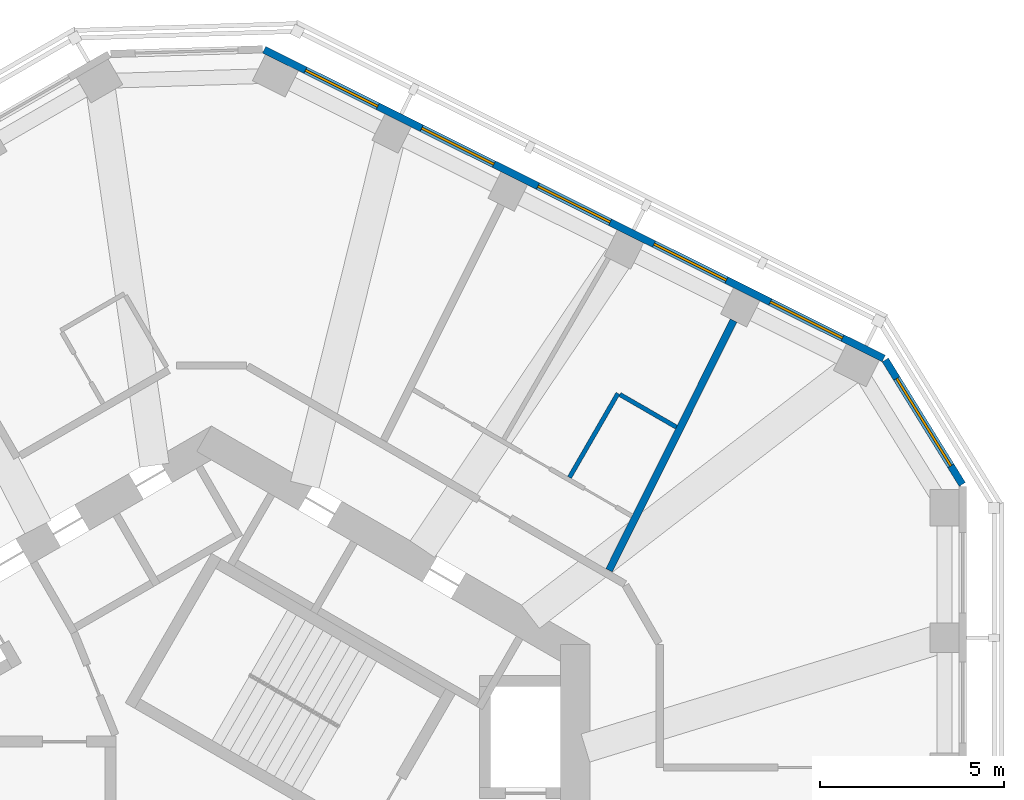
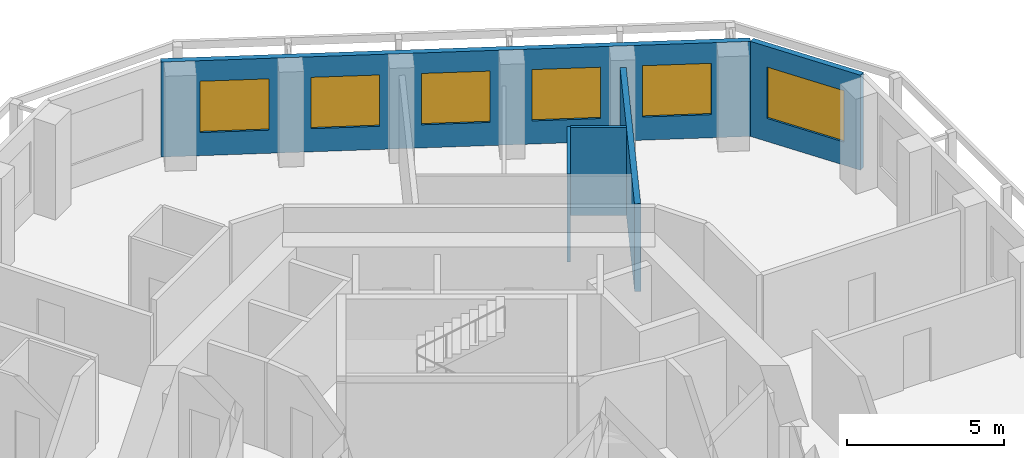
# One storey, part 8 of 11: 6 windows, 5 walls, 6 openings.
"""IFC4 building model written with IfcOpenShell, lengths in metres."""

from ifc_helpers import new_model, si_unit, direction, frame, frame_2d, origin, place, context, subcontext, project, spatial, rectangle, extrude, material, layer, layer_set, type_object, element, fill, save


model = new_model("IFC4")

# Units and contexts
model_context = context("Model", 3, precision=1e-05, world=origin(), true_north=direction((0.0, 1.0)))
body_context = subcontext(model_context, "Body", "Model", "MODEL_VIEW")
ifc_project = project(units=[si_unit("LENGTHUNIT", "METRE"), si_unit("AREAUNIT", "SQUARE_METRE"), si_unit("VOLUMEUNIT", "CUBIC_METRE"), si_unit("PLANEANGLEUNIT", "RADIAN"), si_unit("MASSUNIT", "GRAM", prefix="KILO")], contexts=[model_context])

# Site, building, storey
site_placement = place(None, origin())
site = spatial("IfcSite", under=ifc_project, at=site_placement, CompositionType="ELEMENT")
building_placement = place(site_placement, origin())
building = spatial("IfcBuilding", under=site, at=building_placement, Name="Vanh Sen Convention Tower", CompositionType="ELEMENT")
storey_placement = place(building_placement, frame((0.0, 0.0, 247.60009765625)))
storey = spatial("IfcBuildingStorey", under=building, at=storey_placement, Name="L61", CompositionType="ELEMENT", Elevation=247.60009765625)

# Walls
ifc_material_1 = material(Name="Moisture-resistant gypsum board on steel studs", Category="steel")
ifc_layer_1 = layer(ifc_material_1, 0.1201171875)
ifc_layer_set_1 = layer_set([ifc_layer_1], Name="Moisture-resistant gypsum board on steel studs")
wall_type_1 = type_object("IfcWallType", Name="Bathroom partition 120", PredefinedType="PARTITIONING", material=ifc_layer_set_1)
wall_1_placement = place(storey_placement, frame((11.065185546875, 12.779541015625, 0.0), z_axis=(0.0, 0.0, 1.0), x_axis=(-0.499938597367, -0.866060851709, 0.0)))
element("IfcWall", 1, at=wall_1_placement, inside=storey, type_object=wall_type_1, Name="Bathroom partition 120", PredefinedType="PARTITIONING", context=body_context, shape_type="SweptSolid", body=[
    extrude(rectangle(XDim=2.639892578125, YDim=0.1201171875, at=frame_2d((1.31982421875, 0.0))), origin(), (0.0, 0.0, 1.0), 3.419921875),
])
wall_2_placement = place(storey_placement, frame((12.654296875, 11.862060546875, 0.0), z_axis=(0.0, 0.0, 1.0), x_axis=(-0.866025242659, 0.500000279077, 0.0)))
element("IfcWall", 2, at=wall_2_placement, inside=storey, type_object=wall_type_1, Name="Bathroom partition 120", PredefinedType="PARTITIONING", context=body_context, shape_type="SweptSolid", body=[
    extrude(rectangle(XDim=1.77490234375, YDim=0.1201171875, at=frame_2d((0.887451171875, 0.0))), origin(), (0.0, 0.0, 1.0), 3.419921875),
])

# Wall, opening, window
ifc_material_2 = material(Name="Insulated lightweight infill wall")
ifc_layer_2 = layer(ifc_material_2, 0.199951171875)
ifc_layer_set_2 = layer_set([ifc_layer_2], Name="Insulated lightweight infill wall")
wall_type_2 = type_object("IfcWallType", Name="External wall 200", PredefinedType="STANDARD", material=ifc_layer_set_2)
wall_3_placement = place(storey_placement, frame((20.43505859375, 10.3037109375, 0.0), z_axis=(0.0, 0.0, 1.0), x_axis=(-0.526202661606, 0.850359194058, 0.0)))
wall_3 = element("IfcWall", 3, at=wall_3_placement, inside=storey, type_object=wall_type_2, Name="External wall CH1 L61", PredefinedType="STANDARD", context=body_context, shape_type="SweptSolid", body=[
    extrude(rectangle(XDim=3.982666015625, YDim=0.199951171875, at=frame_2d((1.9912109375, 0.0))), origin(), (0.0, 0.0, 1.0), 3.699951171875),
])
opening_1_placement = place(wall_3_placement, frame((0.59130859375, 0.0, 0.89990234375)))
opening_1 = element("IfcOpeningElement", 4, at=opening_1_placement, cuts=wall_3, Name="Opening WO4-CH11", PredefinedType="OPENING", context=body_context, shape_type="SweptSolid", body=[
    extrude(rectangle(XDim=2.800048828125, YDim=2.0, at=frame_2d((1.39990234375, 1.0))), frame((0.0, 0.10986328125, 0.0), z_axis=(0.0, -1.0, 0.0), x_axis=(1.0, 0.0, 0.0)), (0.0, 0.0, 1.0), 0.219970703125),
])
ifc_material_3 = material(Name="Aluminium frame with clear low-emissivity glass", Category="aluminium")
window_type_1 = type_object("IfcWindowType", Name="Office window 2800 x 2000", PartitioningType="SINGLE_PANEL", PredefinedType="WINDOW", material=ifc_material_3)
window_1_placement = place(opening_1_placement, origin())
window_1 = element("IfcWindow", 5, at=window_1_placement, inside=storey, type_object=window_type_1, Name="Window WO4-CH11", OverallHeight=2.0, OverallWidth=2.800048828125, PartitioningType="SINGLE_PANEL", PredefinedType="WINDOW", context=body_context, shape_type="SweptSolid", body=[
    extrude(rectangle(XDim=2.800048828125, YDim=2.0, at=frame_2d((1.39990234375, 1.0))), frame((0.0, 0.030029296875, 0.0), z_axis=(0.0, -1.0, 0.0), x_axis=(1.0, 0.0, 0.0)), (0.0, 0.0, 1.0), 0.06005859375),
])
fill(opening_1, window_1)

# Wall, openings, windows
wall_4_placement = place(storey_placement, frame((18.298828125, 13.727294921875, 0.0), z_axis=(0.0, 0.0, 1.0), x_axis=(-0.894934554817, 0.44619742558, 0.0)))
wall_4 = element("IfcWall", 6, at=wall_4_placement, inside=storey, type_object=wall_type_2, Name="External wall NE L61", PredefinedType="STANDARD", context=body_context, shape_type="SweptSolid", body=[
    extrude(rectangle(XDim=18.84130859375, YDim=0.199951171875, at=frame_2d((9.420654296875, 0.0))), origin(), (0.0, 0.0, 1.0), 3.699951171875),
])
opening_2_placement = place(wall_4_placement, frame((1.252685546875, 0.0, 0.89990234375)))
opening_2 = element("IfcOpeningElement", 7, at=opening_2_placement, cuts=wall_4, Name="Opening WO3-NE1", PredefinedType="OPENING", context=body_context, shape_type="SweptSolid", body=[
    extrude(rectangle(XDim=2.199951171875, YDim=2.0, at=frame_2d((1.10009765625, 1.0))), frame((0.0, 0.10986328125, 0.0), z_axis=(0.0, -1.0, 0.0), x_axis=(1.0, 0.0, 0.0)), (0.0, 0.0, 1.0), 0.219970703125),
])
opening_3_placement = place(wall_4_placement, frame((4.7861328125, 0.0, 0.89990234375)))
opening_3 = element("IfcOpeningElement", 8, at=opening_3_placement, cuts=wall_4, Name="Opening WO3-NE2", PredefinedType="OPENING", context=body_context, shape_type="SweptSolid", body=[
    extrude(rectangle(XDim=2.199951171875, YDim=2.0, at=frame_2d((1.10009765625, 1.0))), frame((0.0, 0.10986328125, 0.0), z_axis=(0.0, -1.0, 0.0), x_axis=(1.0, 0.0, 0.0)), (0.0, 0.0, 1.0), 0.219970703125),
])
opening_4_placement = place(wall_4_placement, frame((8.31982421875, 0.0, 0.89990234375)))
opening_4 = element("IfcOpeningElement", 9, at=opening_4_placement, cuts=wall_4, Name="Opening WO3-NE3", PredefinedType="OPENING", context=body_context, shape_type="SweptSolid", body=[
    extrude(rectangle(XDim=2.199951171875, YDim=2.0, at=frame_2d((1.10009765625, 1.0))), frame((0.0, 0.10986328125, 0.0), z_axis=(0.0, -1.0, 0.0), x_axis=(1.0, 0.0, 0.0)), (0.0, 0.0, 1.0), 0.219970703125),
])
opening_5_placement = place(wall_4_placement, frame((11.853515625, 0.0, 0.89990234375)))
opening_5 = element("IfcOpeningElement", 10, at=opening_5_placement, cuts=wall_4, Name="Opening WO3-NE4", PredefinedType="OPENING", context=body_context, shape_type="SweptSolid", body=[
    extrude(rectangle(XDim=2.199951171875, YDim=2.0, at=frame_2d((1.10009765625, 1.0))), frame((0.0, 0.10986328125, 0.0), z_axis=(0.0, -1.0, 0.0), x_axis=(1.0, 0.0, 0.0)), (0.0, 0.0, 1.0), 0.219970703125),
])
opening_6_placement = place(wall_4_placement, frame((15.38720703125, 0.0, 0.89990234375)))
opening_6 = element("IfcOpeningElement", 11, at=opening_6_placement, cuts=wall_4, Name="Opening WO3-NE5", PredefinedType="OPENING", context=body_context, shape_type="SweptSolid", body=[
    extrude(rectangle(XDim=2.199951171875, YDim=2.0, at=frame_2d((1.10009765625, 1.0))), frame((0.0, 0.10986328125, 0.0), z_axis=(0.0, -1.0, 0.0), x_axis=(1.0, 0.0, 0.0)), (0.0, 0.0, 1.0), 0.219970703125),
])
window_type_2 = type_object("IfcWindowType", Name="Office window 2200 x 2000", PartitioningType="SINGLE_PANEL", PredefinedType="WINDOW", material=ifc_material_3)
window_2_placement = place(opening_2_placement, origin())
window_2 = element("IfcWindow", 12, at=window_2_placement, inside=storey, type_object=window_type_2, Name="Window WO3-NE1", OverallHeight=2.0, OverallWidth=2.199951171875, PartitioningType="SINGLE_PANEL", PredefinedType="WINDOW", context=body_context, shape_type="SweptSolid", body=[
    extrude(rectangle(XDim=2.199951171875, YDim=2.0, at=frame_2d((1.10009765625, 1.0))), frame((0.0, 0.030029296875, 0.0), z_axis=(0.0, -1.0, 0.0), x_axis=(1.0, 0.0, 0.0)), (0.0, 0.0, 1.0), 0.06005859375),
])
fill(opening_2, window_2)
window_3_placement = place(opening_3_placement, origin())
window_3 = element("IfcWindow", 13, at=window_3_placement, inside=storey, type_object=window_type_2, Name="Window WO3-NE2", OverallHeight=2.0, OverallWidth=2.199951171875, PartitioningType="SINGLE_PANEL", PredefinedType="WINDOW", context=body_context, shape_type="SweptSolid", body=[
    extrude(rectangle(XDim=2.199951171875, YDim=2.0, at=frame_2d((1.10009765625, 1.0))), frame((0.0, 0.030029296875, 0.0), z_axis=(0.0, -1.0, 0.0), x_axis=(1.0, 0.0, 0.0)), (0.0, 0.0, 1.0), 0.06005859375),
])
fill(opening_3, window_3)
window_4_placement = place(opening_4_placement, origin())
window_4 = element("IfcWindow", 14, at=window_4_placement, inside=storey, type_object=window_type_2, Name="Window WO3-NE3", OverallHeight=2.0, OverallWidth=2.199951171875, PartitioningType="SINGLE_PANEL", PredefinedType="WINDOW", context=body_context, shape_type="SweptSolid", body=[
    extrude(rectangle(XDim=2.199951171875, YDim=2.0, at=frame_2d((1.10009765625, 1.0))), frame((0.0, 0.030029296875, 0.0), z_axis=(0.0, -1.0, 0.0), x_axis=(1.0, 0.0, 0.0)), (0.0, 0.0, 1.0), 0.06005859375),
])
fill(opening_4, window_4)
window_5_placement = place(opening_5_placement, origin())
window_5 = element("IfcWindow", 15, at=window_5_placement, inside=storey, type_object=window_type_2, Name="Window WO3-NE4", OverallHeight=2.0, OverallWidth=2.199951171875, PartitioningType="SINGLE_PANEL", PredefinedType="WINDOW", context=body_context, shape_type="SweptSolid", body=[
    extrude(rectangle(XDim=2.199951171875, YDim=2.0, at=frame_2d((1.10009765625, 1.0))), frame((0.0, 0.030029296875, 0.0), z_axis=(0.0, -1.0, 0.0), x_axis=(1.0, 0.0, 0.0)), (0.0, 0.0, 1.0), 0.06005859375),
])
fill(opening_5, window_5)
window_6_placement = place(opening_6_placement, origin())
window_6 = element("IfcWindow", 16, at=window_6_placement, inside=storey, type_object=window_type_2, Name="Window WO3-NE5", OverallHeight=2.0, OverallWidth=2.199951171875, PartitioningType="SINGLE_PANEL", PredefinedType="WINDOW", context=body_context, shape_type="SweptSolid", body=[
    extrude(rectangle(XDim=2.199951171875, YDim=2.0, at=frame_2d((1.10009765625, 1.0))), frame((0.0, 0.030029296875, 0.0), z_axis=(0.0, -1.0, 0.0), x_axis=(1.0, 0.0, 0.0)), (0.0, 0.0, 1.0), 0.06005859375),
])
fill(opening_6, window_6)

# Wall
ifc_material_4 = material(Name="Gypsum board on steel studs with mineral wool", Category="steel")
ifc_layer_3 = layer(ifc_material_4, 0.199951171875)
ifc_layer_set_3 = layer_set([ifc_layer_3], Name="Gypsum board on steel studs with mineral wool")
wall_type_3 = type_object("IfcWallType", Name="Tenant suite wall 200", PredefinedType="PARTITIONING", material=ifc_layer_set_3)
wall_5_placement = place(storey_placement, frame((14.210693359375, 14.760009765625, 0.0), z_axis=(0.0, 0.0, 1.0), x_axis=(-0.446197176117, -0.894934679195, 0.0)))
element("IfcWall", 17, at=wall_5_placement, inside=storey, type_object=wall_type_3, Name="Tenant suite wall 200", PredefinedType="PARTITIONING", context=body_context, shape_type="SweptSolid", body=[
    extrude(rectangle(XDim=7.59228515625, YDim=0.199951171875, at=frame_2d((3.796142578125, 0.0))), origin(), (0.0, 0.0, 1.0), 3.419921875),
])

save(model, "model.ifc")
